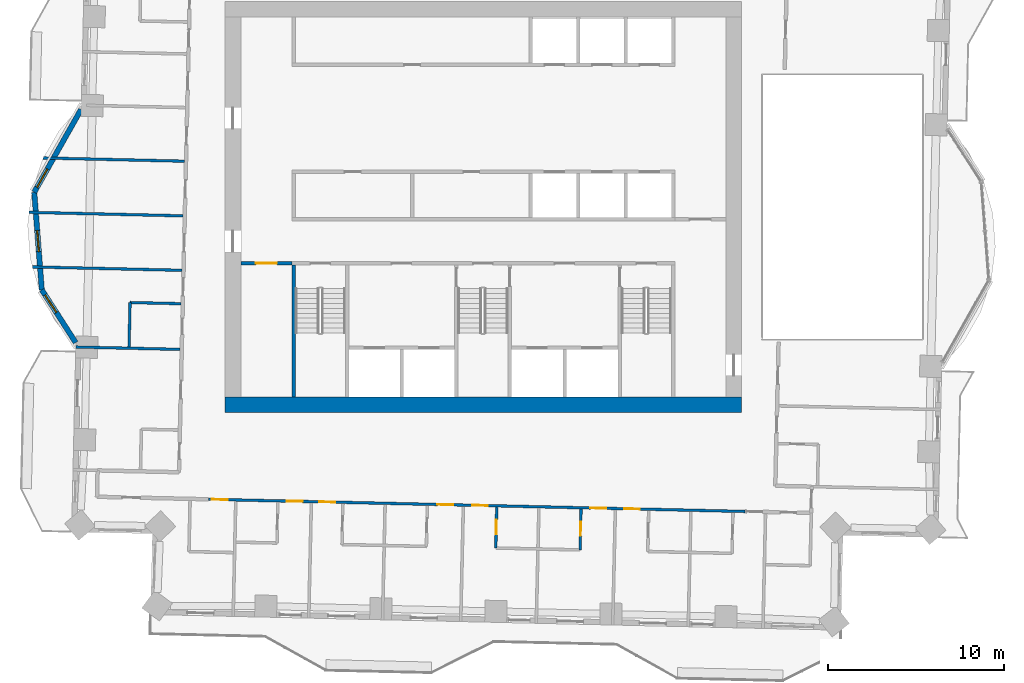
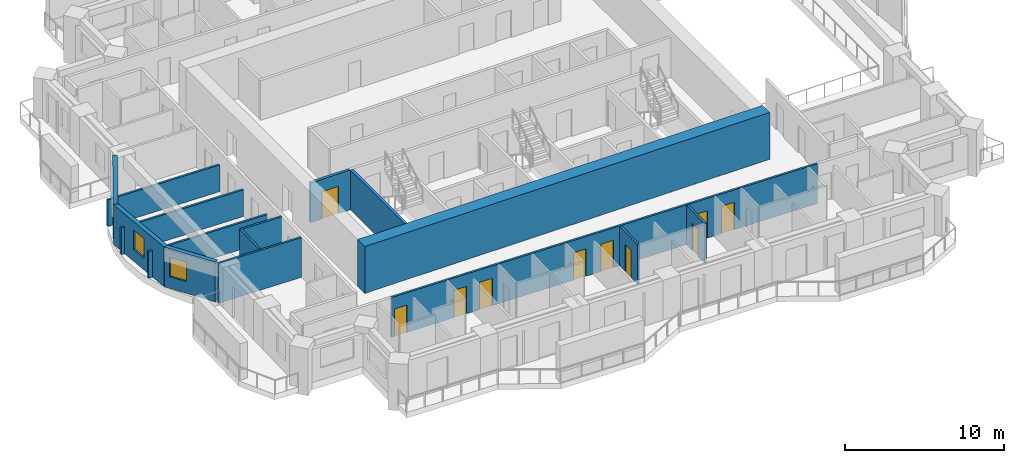
# One storey, part 5 of 14: 15 walls, 10 doors, 3 windows, 13 openings.
"""IFC4 building model written with IfcOpenShell, lengths in metres."""

from ifc_helpers import new_model, si_unit, direction, frame, frame_2d, origin, place, context, subcontext, project, spatial, rectangle, extrude, material, layer, layer_set, type_object, element, fill, save


model = new_model("IFC4")

# Units and contexts
model_context = context("Model", 3, precision=1e-05, world=origin(), true_north=direction((0.0, 1.0)))
body_context = subcontext(model_context, "Body", "Model", "MODEL_VIEW")
ifc_project = project(units=[si_unit("LENGTHUNIT", "METRE"), si_unit("AREAUNIT", "SQUARE_METRE"), si_unit("VOLUMEUNIT", "CUBIC_METRE"), si_unit("PLANEANGLEUNIT", "RADIAN"), si_unit("MASSUNIT", "GRAM", prefix="KILO")], contexts=[model_context])

# Site, building, storey
site_placement = place(None, origin())
site = spatial("IfcSite", under=ifc_project, at=site_placement, CompositionType="ELEMENT")
building_placement = place(site_placement, origin())
building = spatial("IfcBuilding", under=site, at=building_placement, Name="Mangrove Gate Tower", CompositionType="ELEMENT")
storey_placement = place(building_placement, frame((0.0, 0.0, 152.699951171875)))
storey = spatial("IfcBuildingStorey", under=building, at=storey_placement, Name="L38", CompositionType="ELEMENT", Elevation=152.699951171875)

# Wall, opening, door
ifc_material_1 = material(Name="Concrete C32/40", Category="concrete")
ifc_layer_1 = layer(ifc_material_1, 0.199951171875)
ifc_layer_set_1 = layer_set([ifc_layer_1], Name="Core lobby wall 200 C32/40")
wall_type_1 = type_object("IfcWallType", Name="Core lobby wall 200 C32/40", PredefinedType="STANDARD", material=ifc_layer_set_1)
wall_1_placement = place(storey_placement, frame((-13.800048828125, -3.199951171875, 0.0), z_axis=(0.0, 0.0, 1.0), x_axis=(1.0, 0.0, 0.0)))
wall_1 = element("IfcWall", 1, at=wall_1_placement, inside=storey, type_object=wall_type_1, Name="WALL-L38-CORE-30", PredefinedType="STANDARD", context=body_context, shape_type="SweptSolid", body=[
    extrude(rectangle(XDim=2.900146484375, YDim=0.199951171875, at=frame_2d((1.4501953125, 0.0))), origin(), (0.0, 0.0, 1.0), 3.050048828125),
])
opening_1_placement = place(wall_1_placement, frame((0.85009765625, 0.0, 0.0)))
opening_1 = element("IfcOpeningElement", 2, at=opening_1_placement, cuts=wall_1, Name="Opening FL12", PredefinedType="OPENING", context=body_context, shape_type="SweptSolid", body=[
    extrude(rectangle(XDim=1.199951171875, YDim=2.10009765625, at=frame_2d((0.60009765625, 1.050048828125))), frame((0.0, 0.10986328125, 0.0), z_axis=(0.0, -1.0, 0.0), x_axis=(1.0, 0.0, 0.0)), (0.0, 0.0, 1.0), 0.219970703125),
])
ifc_material_2 = material(Name="Fire-rated steel door set", Category="steel")
door_type_1 = type_object("IfcDoorType", Name="Lobby door FD60 1200x2100", OperationType="SINGLE_SWING_LEFT", PredefinedType="DOOR", material=ifc_material_2)
door_1_placement = place(opening_1_placement, origin())
door_1 = element("IfcDoor", 3, at=door_1_placement, inside=storey, type_object=door_type_1, Name="Lobby door core corridor W partition", OperationType="SINGLE_SWING_LEFT", OverallHeight=2.10009765625, OverallWidth=1.199951171875, PredefinedType="DOOR", context=body_context, shape_type="SweptSolid", body=[
    extrude(rectangle(XDim=1.199951171875, YDim=2.10009765625, at=frame_2d((0.60009765625, 1.050048828125))), frame((0.0, 0.02490234375, 0.0), z_axis=(0.0, -1.0, 0.0), x_axis=(1.0, 0.0, 0.0)), (0.0, 0.0, 1.0), 0.050048828125),
])
fill(opening_1, door_1)

# Walls
ifc_material_3 = material(Name="Concrete C60/75", Category="concrete")
ifc_layer_2 = layer(ifc_material_3, 0.199951171875)
ifc_layer_set_2 = layer_set([ifc_layer_2], Name="Core stair wall 200 C60/75")
wall_type_2 = type_object("IfcWallType", Name="Core stair wall 200 C60/75", PredefinedType="SHEAR", material=ifc_layer_set_2)
wall_2_placement = place(storey_placement, frame((-10.800048828125, -10.800048828125, 0.0), z_axis=(0.0, 0.0, 1.0), x_axis=(0.0, 1.0, 0.0)))
element("IfcWall", 4, at=wall_2_placement, inside=storey, type_object=wall_type_2, Name="WALL-L38-CORE-9", PredefinedType="SHEAR", context=body_context, shape_type="SweptSolid", body=[
    extrude(rectangle(XDim=7.5, YDim=0.199951171875, at=frame_2d((3.75, 0.0))), origin(), (0.0, 0.0, 1.0), 3.050048828125),
])
ifc_material_4 = material(Name="Concrete C60/75", Category="concrete")
ifc_layer_3 = layer(ifc_material_4, 0.89990234375)
ifc_layer_set_3 = layer_set([ifc_layer_3], Name="Core wall 900 C60/75")
wall_type_3 = type_object("IfcWallType", Name="Core wall 900 C60/75", PredefinedType="SHEAR", material=ifc_layer_set_3)
wall_3_placement = place(storey_placement, frame((-14.699951171875, -11.25, 0.0), z_axis=(0.0, 0.0, 1.0), x_axis=(1.0, 0.0, 0.0)))
element("IfcWall", 5, at=wall_3_placement, inside=storey, type_object=wall_type_3, Name="WALL-L38-CORE-1", PredefinedType="SHEAR", context=body_context, shape_type="SweptSolid", body=[
    extrude(rectangle(XDim=29.39990234375, YDim=0.89990234375, at=frame_2d((14.699951171875, 0.0))), origin(), (0.0, 0.0, 1.0), 3.60009765625),
])

# Wall, opening, window
ifc_material_5 = material(Name="Limestone", Category="masonry")
ifc_layer_4 = layer(ifc_material_5, 0.0400390625, Name="Limestone cladding")
ifc_material_6 = material(Name="Ventilated air gap")
ifc_layer_5 = layer(ifc_material_6, 0.0400390625, Name="Ventilated cavity")
ifc_material_7 = material(Name="Mineral wool insulation")
ifc_layer_6 = layer(ifc_material_7, 0.06005859375, Name="Insulation")
ifc_material_8 = material(Name="Breather membrane")
ifc_layer_7 = layer(ifc_material_8, 0.001953125, Name="Breather membrane")
ifc_material_9 = material(Name="Concrete C20/25 blockwork", Category="masonry")
ifc_layer_8 = layer(ifc_material_9, 0.14990234375, Name="Blockwork backing wall")
ifc_material_10 = material(Name="Gypsum plaster")
ifc_layer_9 = layer(ifc_material_10, 0.008056640625, Name="Internal plaster")
ifc_layer_set_4 = layer_set([ifc_layer_4, ifc_layer_5, ifc_layer_6, ifc_layer_7, ifc_layer_8, ifc_layer_9], Name="External wall 300 limestone cladding")
wall_type_4 = type_object("IfcWallType", Name="External wall 300 limestone cladding", PredefinedType="SOLIDWALL", material=ifc_layer_set_4)
wall_4_placement = place(storey_placement, frame((-22.89404296875, 5.537109375, 0.0), z_axis=(0.0, 0.0, 1.0), x_axis=(-0.492495436053, -0.870315026566, 0.0)))
wall_4 = element("IfcWall", 6, at=wall_4_placement, inside=storey, type_object=wall_type_4, Name="WALL-L38-W9f1", PredefinedType="SOLIDWALL", context=body_context, shape_type="SweptSolid", body=[
    extrude(rectangle(XDim=5.39697265625, YDim=0.300048828125, at=frame_2d((2.698486328125, 0.0))), origin(), (0.0, 0.0, 1.0), 3.050048828125),
])
opening_2_placement = place(wall_4_placement, frame((3.8798828125, 0.0, 0.89990234375)))
opening_2 = element("IfcOpeningElement", 7, at=opening_2_placement, cuts=wall_4, Name="Opening W1", PredefinedType="OPENING", context=body_context, shape_type="SweptSolid", body=[
    extrude(rectangle(XDim=1.199951171875, YDim=1.5, at=frame_2d((0.60009765625, 0.75))), frame((0.0, 0.159912109375, 0.0), z_axis=(0.0, -1.0, 0.0), x_axis=(1.0, 0.0, 0.0)), (0.0, 0.0, 1.0), 0.320068359375),
])
ifc_material_11 = material(Name="Aluminium frame with double-glazed low-e glass", Category="aluminium")
window_type = type_object("IfcWindowType", Name="Side lite 1200x1500", PartitioningType="SINGLE_PANEL", PredefinedType="WINDOW", material=ifc_material_11)
window_1_placement = place(opening_2_placement, origin())
window_1 = element("IfcWindow", 8, at=window_1_placement, inside=storey, type_object=window_type, Name="WIN-L38-W9f1", OverallHeight=1.5, OverallWidth=1.199951171875, PartitioningType="SINGLE_PANEL", PredefinedType="WINDOW", context=body_context, shape_type="SweptSolid", body=[
    extrude(rectangle(XDim=1.199951171875, YDim=1.5, at=frame_2d((0.60009765625, 0.75))), frame((0.0, 0.030029296875, 0.0), z_axis=(0.0, -1.0, 0.0), x_axis=(1.0, 0.0, 0.0)), (0.0, 0.0, 1.0), 0.06005859375),
])
fill(opening_2, window_1)

wall_5_placement = place(storey_placement, frame((-25.552001953125, 0.840087890625, 0.0), z_axis=(0.0, 0.0, 1.0), x_axis=(0.076961115238, -0.997034095075, 0.0)))
wall_5 = element("IfcWall", 9, at=wall_5_placement, inside=storey, type_object=wall_type_4, Name="WALL-L38-W9f2", PredefinedType="SOLIDWALL", context=body_context, shape_type="SweptSolid", body=[
    extrude(rectangle(XDim=5.57373046875, YDim=0.300048828125, at=frame_2d((2.786865234375, 0.0))), origin(), (0.0, 0.0, 1.0), 3.050048828125),
])
opening_3_placement = place(wall_5_placement, frame((2.18701171875, 0.0, 0.89990234375)))
opening_3 = element("IfcOpeningElement", 10, at=opening_3_placement, cuts=wall_5, Name="Opening W1", PredefinedType="OPENING", context=body_context, shape_type="SweptSolid", body=[
    extrude(rectangle(XDim=1.199951171875, YDim=1.5, at=frame_2d((0.60009765625, 0.75))), frame((0.0, 0.159912109375, 0.0), z_axis=(0.0, -1.0, 0.0), x_axis=(1.0, 0.0, 0.0)), (0.0, 0.0, 1.0), 0.320068359375),
])
window_2_placement = place(opening_3_placement, origin())
window_2 = element("IfcWindow", 11, at=window_2_placement, inside=storey, type_object=window_type, Name="WIN-L38-W9f2", OverallHeight=1.5, OverallWidth=1.199951171875, PartitioningType="SINGLE_PANEL", PredefinedType="WINDOW", context=body_context, shape_type="SweptSolid", body=[
    extrude(rectangle(XDim=1.199951171875, YDim=1.5, at=frame_2d((0.60009765625, 0.75))), frame((0.0, 0.030029296875, 0.0), z_axis=(0.0, -1.0, 0.0), x_axis=(1.0, 0.0, 0.0)), (0.0, 0.0, 1.0), 0.06005859375),
])
fill(opening_3, window_2)

wall_6_placement = place(storey_placement, frame((-25.123046875, -4.717041015625, 0.0), z_axis=(0.0, 0.0, 1.0), x_axis=(0.54058467792, -0.841289608873, 0.0)))
wall_6 = element("IfcWall", 12, at=wall_6_placement, inside=storey, type_object=wall_type_4, Name="WALL-L38-W9f3", PredefinedType="SOLIDWALL", context=body_context, shape_type="SweptSolid", body=[
    extrude(rectangle(XDim=3.568359375, YDim=0.300048828125, at=frame_2d((1.7841796875, 0.0))), origin(), (0.0, 0.0, 1.0), 3.050048828125),
])
opening_4_placement = place(wall_6_placement, frame((0.337890625, 0.0, 0.89990234375)))
opening_4 = element("IfcOpeningElement", 13, at=opening_4_placement, cuts=wall_6, Name="Opening W1", PredefinedType="OPENING", context=body_context, shape_type="SweptSolid", body=[
    extrude(rectangle(XDim=1.199951171875, YDim=1.5, at=frame_2d((0.60009765625, 0.75))), frame((0.0, 0.159912109375, 0.0), z_axis=(0.0, -1.0, 0.0), x_axis=(1.0, 0.0, 0.0)), (0.0, 0.0, 1.0), 0.320068359375),
])
window_3_placement = place(opening_4_placement, origin())
window_3 = element("IfcWindow", 14, at=window_3_placement, inside=storey, type_object=window_type, Name="WIN-L38-W9f3", OverallHeight=1.5, OverallWidth=1.199951171875, PartitioningType="SINGLE_PANEL", PredefinedType="WINDOW", context=body_context, shape_type="SweptSolid", body=[
    extrude(rectangle(XDim=1.199951171875, YDim=1.5, at=frame_2d((0.60009765625, 0.75))), frame((0.0, 0.030029296875, 0.0), z_axis=(0.0, -1.0, 0.0), x_axis=(1.0, 0.0, 0.0)), (0.0, 0.0, 1.0), 0.06005859375),
])
fill(opening_4, window_3)

# Wall, opening, door
ifc_material_12 = material(Name="Gypsum board on steel stud, EI 60", Category="steel")
ifc_layer_10 = layer(ifc_material_12, 0.14990234375)
ifc_layer_set_5 = layer_set([ifc_layer_10], Name="Party wall 150 EI 60")
wall_type_5 = type_object("IfcWallType", Name="Party wall 150 EI 60", PredefinedType="PARTITIONING", material=ifc_layer_set_5)
wall_7_placement = place(storey_placement, frame((0.70703125, -19.407958984375, 0.0), z_axis=(0.0, 0.0, 1.0), x_axis=(0.02279059109, 0.999740260747, 0.0)))
wall_7 = element("IfcWall", 15, at=wall_7_placement, inside=storey, type_object=wall_type_5, Name="WALL-L38-016", PredefinedType="PARTITIONING", context=body_context, shape_type="SweptSolid", body=[
    extrude(rectangle(XDim=2.324462890625, YDim=0.14990234375, at=frame_2d((1.162109375, 0.0))), origin(), (0.0, 0.0, 1.0), 3.050048828125),
])
opening_5_placement = place(wall_7_placement, frame((0.800048828125, 0.0, 0.0)))
opening_5 = element("IfcOpeningElement", 16, at=opening_5_placement, cuts=wall_7, Name="Opening ED", PredefinedType="OPENING", context=body_context, shape_type="SweptSolid", body=[
    extrude(rectangle(XDim=0.800048828125, YDim=2.10009765625, at=frame_2d((0.39990234375, 1.050048828125))), frame((0.0, 0.0849609375, 0.0), z_axis=(0.0, -1.0, 0.0), x_axis=(1.0, 0.0, 0.0)), (0.0, 0.0, 1.0), 0.169921875),
])
ifc_material_13 = material(Name="Timber door leaf", Category="wood")
door_type_2 = type_object("IfcDoorType", Name="En-suite door 800", OperationType="SINGLE_SWING_LEFT", PredefinedType="DOOR", material=ifc_material_13)
door_2_placement = place(opening_5_placement, origin())
door_2 = element("IfcDoor", 17, at=door_2_placement, inside=storey, type_object=door_type_2, Name="DOOR-L38-ENS-c204", OperationType="SINGLE_SWING_RIGHT", OverallHeight=2.10009765625, OverallWidth=0.800048828125, PredefinedType="DOOR", context=body_context, shape_type="SweptSolid", body=[
    extrude(rectangle(XDim=0.800048828125, YDim=2.10009765625, at=frame_2d((0.39990234375, 1.050048828125))), frame((0.0, 0.02490234375, 0.0), z_axis=(0.0, -1.0, 0.0), x_axis=(1.0, 0.0, 0.0)), (0.0, 0.0, 1.0), 0.050048828125),
])
fill(opening_5, door_2)

wall_8_placement = place(storey_placement, frame((5.506103515625, -19.51708984375, 0.0), z_axis=(0.0, 0.0, 1.0), x_axis=(0.022370700241, 0.999749744571, 0.0)))
wall_8 = element("IfcWall", 18, at=wall_8_placement, inside=storey, type_object=wall_type_5, Name="WALL-L38-017", PredefinedType="PARTITIONING", context=body_context, shape_type="SweptSolid", body=[
    extrude(rectangle(XDim=2.324462890625, YDim=0.14990234375, at=frame_2d((1.162109375, 0.0))), origin(), (0.0, 0.0, 1.0), 3.050048828125),
])
opening_6_placement = place(wall_8_placement, frame((0.800048828125, 0.0, 0.0)))
opening_6 = element("IfcOpeningElement", 19, at=opening_6_placement, cuts=wall_8, Name="Opening ED", PredefinedType="OPENING", context=body_context, shape_type="SweptSolid", body=[
    extrude(rectangle(XDim=0.800048828125, YDim=2.10009765625, at=frame_2d((0.39990234375, 1.050048828125))), frame((0.0, 0.0849609375, 0.0), z_axis=(0.0, -1.0, 0.0), x_axis=(1.0, 0.0, 0.0)), (0.0, 0.0, 1.0), 0.169921875),
])
door_3_placement = place(opening_6_placement, origin())
door_3 = element("IfcDoor", 20, at=door_3_placement, inside=storey, type_object=door_type_2, Name="DOOR-L38-ENS-c205", OperationType="SINGLE_SWING_LEFT", OverallHeight=2.10009765625, OverallWidth=0.800048828125, PredefinedType="DOOR", context=body_context, shape_type="SweptSolid", body=[
    extrude(rectangle(XDim=0.800048828125, YDim=2.10009765625, at=frame_2d((0.39990234375, 1.050048828125))), frame((0.0, 0.02490234375, 0.0), z_axis=(0.0, -1.0, 0.0), x_axis=(1.0, 0.0, 0.0)), (0.0, 0.0, 1.0), 0.050048828125),
])
fill(opening_6, door_3)

# Wall, openings, doors
wall_9_placement = place(storey_placement, frame((-15.64892578125, -16.633056640625, 0.0), z_axis=(0.0, 0.0, 1.0), x_axis=(0.999743261737, -0.022658565952, 0.0)))
wall_9 = element("IfcWall", 21, at=wall_9_placement, inside=storey, type_object=wall_type_5, Name="WALL-L38-027", PredefinedType="PARTITIONING", context=body_context, shape_type="SweptSolid", body=[
    extrude(rectangle(XDim=30.53564453125, YDim=0.14990234375, at=frame_2d((15.267822265625, 0.0))), origin(), (0.0, 0.0, 1.0), 3.050048828125),
])
opening_7_placement = place(wall_9_placement, frame((0.199951171875, 0.0, 0.0)))
opening_7 = element("IfcOpeningElement", 22, at=opening_7_placement, cuts=wall_9, Name="Opening SD", PredefinedType="OPENING", context=body_context, shape_type="SweptSolid", body=[
    extrude(rectangle(XDim=0.89990234375, YDim=2.10009765625, at=frame_2d((0.449951171875, 1.050048828125))), frame((0.0, 0.0849609375, 0.0), z_axis=(0.0, -1.0, 0.0), x_axis=(1.0, 0.0, 0.0)), (0.0, 0.0, 1.0), 0.169921875),
])
opening_8_placement = place(wall_9_placement, frame((4.465087890625, 0.0, 0.0)))
opening_8 = element("IfcOpeningElement", 23, at=opening_8_placement, cuts=wall_9, Name="Opening BD", PredefinedType="OPENING", context=body_context, shape_type="SweptSolid", body=[
    extrude(rectangle(XDim=0.89990234375, YDim=2.10009765625, at=frame_2d((0.449951171875, 1.050048828125))), frame((0.0, 0.0849609375, 0.0), z_axis=(0.0, -1.0, 0.0), x_axis=(1.0, 0.0, 0.0)), (0.0, 0.0, 1.0), 0.169921875),
])
opening_9_placement = place(wall_9_placement, frame((6.31494140625, 0.0, 0.0)))
opening_9 = element("IfcOpeningElement", 24, at=opening_9_placement, cuts=wall_9, Name="Opening BD", PredefinedType="OPENING", context=body_context, shape_type="SweptSolid", body=[
    extrude(rectangle(XDim=0.89990234375, YDim=2.10009765625, at=frame_2d((0.449951171875, 1.050048828125))), frame((0.0, 0.0849609375, 0.0), z_axis=(0.0, -1.0, 0.0), x_axis=(1.0, 0.0, 0.0)), (0.0, 0.0, 1.0), 0.169921875),
])
opening_10_placement = place(wall_9_placement, frame((13.0400390625, 0.0, 0.0)))
opening_10 = element("IfcOpeningElement", 25, at=opening_10_placement, cuts=wall_9, Name="Opening BD", PredefinedType="OPENING", context=body_context, shape_type="SweptSolid", body=[
    extrude(rectangle(XDim=0.89990234375, YDim=2.10009765625, at=frame_2d((0.449951171875, 1.050048828125))), frame((0.0, 0.0849609375, 0.0), z_axis=(0.0, -1.0, 0.0), x_axis=(1.0, 0.0, 0.0)), (0.0, 0.0, 1.0), 0.169921875),
])
opening_11_placement = place(wall_9_placement, frame((15.014892578125, 0.0, 0.0)))
opening_11 = element("IfcOpeningElement", 26, at=opening_11_placement, cuts=wall_9, Name="Opening BD", PredefinedType="OPENING", context=body_context, shape_type="SweptSolid", body=[
    extrude(rectangle(XDim=0.89990234375, YDim=2.10009765625, at=frame_2d((0.449951171875, 1.050048828125))), frame((0.0, 0.0849609375, 0.0), z_axis=(0.0, -1.0, 0.0), x_axis=(1.0, 0.0, 0.0)), (0.0, 0.0, 1.0), 0.169921875),
])
opening_12_placement = place(wall_9_placement, frame((21.739990234375, 0.0, 0.0)))
opening_12 = element("IfcOpeningElement", 27, at=opening_12_placement, cuts=wall_9, Name="Opening BD", PredefinedType="OPENING", context=body_context, shape_type="SweptSolid", body=[
    extrude(rectangle(XDim=0.89990234375, YDim=2.10009765625, at=frame_2d((0.449951171875, 1.050048828125))), frame((0.0, 0.0849609375, 0.0), z_axis=(0.0, -1.0, 0.0), x_axis=(1.0, 0.0, 0.0)), (0.0, 0.0, 1.0), 0.169921875),
])
opening_13_placement = place(wall_9_placement, frame((23.6650390625, 0.0, 0.0)))
opening_13 = element("IfcOpeningElement", 28, at=opening_13_placement, cuts=wall_9, Name="Opening BD", PredefinedType="OPENING", context=body_context, shape_type="SweptSolid", body=[
    extrude(rectangle(XDim=0.89990234375, YDim=2.10009765625, at=frame_2d((0.449951171875, 1.050048828125))), frame((0.0, 0.0849609375, 0.0), z_axis=(0.0, -1.0, 0.0), x_axis=(1.0, 0.0, 0.0)), (0.0, 0.0, 1.0), 0.169921875),
])
ifc_material_14 = material(Name="Timber door leaf", Category="wood")
door_type_3 = type_object("IfcDoorType", Name="Bedroom door 900", OperationType="SINGLE_SWING_LEFT", PredefinedType="DOOR", material=ifc_material_14)
door_4_placement = place(opening_8_placement, origin())
door_4 = element("IfcDoor", 29, at=door_4_placement, inside=storey, type_object=door_type_3, Name="DOOR-L38-BED-c101", OperationType="SINGLE_SWING_LEFT", OverallHeight=2.10009765625, OverallWidth=0.89990234375, PredefinedType="DOOR", context=body_context, shape_type="SweptSolid", body=[
    extrude(rectangle(XDim=0.89990234375, YDim=2.10009765625, at=frame_2d((0.449951171875, 1.050048828125))), frame((0.0, 0.02490234375, 0.0), z_axis=(0.0, -1.0, 0.0), x_axis=(1.0, 0.0, 0.0)), (0.0, 0.0, 1.0), 0.050048828125),
])
fill(opening_8, door_4)
door_5_placement = place(opening_9_placement, origin())
door_5 = element("IfcDoor", 30, at=door_5_placement, inside=storey, type_object=door_type_3, Name="DOOR-L38-BED-c102", OperationType="SINGLE_SWING_RIGHT", OverallHeight=2.10009765625, OverallWidth=0.89990234375, PredefinedType="DOOR", context=body_context, shape_type="SweptSolid", body=[
    extrude(rectangle(XDim=0.89990234375, YDim=2.10009765625, at=frame_2d((0.449951171875, 1.050048828125))), frame((0.0, 0.02490234375, 0.0), z_axis=(0.0, -1.0, 0.0), x_axis=(1.0, 0.0, 0.0)), (0.0, 0.0, 1.0), 0.050048828125),
])
fill(opening_9, door_5)
door_6_placement = place(opening_10_placement, origin())
door_6 = element("IfcDoor", 31, at=door_6_placement, inside=storey, type_object=door_type_3, Name="DOOR-L38-BED-c103", OperationType="SINGLE_SWING_LEFT", OverallHeight=2.10009765625, OverallWidth=0.89990234375, PredefinedType="DOOR", context=body_context, shape_type="SweptSolid", body=[
    extrude(rectangle(XDim=0.89990234375, YDim=2.10009765625, at=frame_2d((0.449951171875, 1.050048828125))), frame((0.0, 0.02490234375, 0.0), z_axis=(0.0, -1.0, 0.0), x_axis=(1.0, 0.0, 0.0)), (0.0, 0.0, 1.0), 0.050048828125),
])
fill(opening_10, door_6)
door_7_placement = place(opening_11_placement, origin())
door_7 = element("IfcDoor", 32, at=door_7_placement, inside=storey, type_object=door_type_3, Name="DOOR-L38-BED-c204", OperationType="SINGLE_SWING_RIGHT", OverallHeight=2.10009765625, OverallWidth=0.89990234375, PredefinedType="DOOR", context=body_context, shape_type="SweptSolid", body=[
    extrude(rectangle(XDim=0.89990234375, YDim=2.10009765625, at=frame_2d((0.449951171875, 1.050048828125))), frame((0.0, 0.02490234375, 0.0), z_axis=(0.0, -1.0, 0.0), x_axis=(1.0, 0.0, 0.0)), (0.0, 0.0, 1.0), 0.050048828125),
])
fill(opening_11, door_7)
door_8_placement = place(opening_12_placement, origin())
door_8 = element("IfcDoor", 33, at=door_8_placement, inside=storey, type_object=door_type_3, Name="DOOR-L38-BED-c205", OperationType="SINGLE_SWING_LEFT", OverallHeight=2.10009765625, OverallWidth=0.89990234375, PredefinedType="DOOR", context=body_context, shape_type="SweptSolid", body=[
    extrude(rectangle(XDim=0.89990234375, YDim=2.10009765625, at=frame_2d((0.449951171875, 1.050048828125))), frame((0.0, 0.02490234375, 0.0), z_axis=(0.0, -1.0, 0.0), x_axis=(1.0, 0.0, 0.0)), (0.0, 0.0, 1.0), 0.050048828125),
])
fill(opening_12, door_8)
door_9_placement = place(opening_13_placement, origin())
door_9 = element("IfcDoor", 34, at=door_9_placement, inside=storey, type_object=door_type_3, Name="DOOR-L38-BED-c206", OperationType="SINGLE_SWING_RIGHT", OverallHeight=2.10009765625, OverallWidth=0.89990234375, PredefinedType="DOOR", context=body_context, shape_type="SweptSolid", body=[
    extrude(rectangle(XDim=0.89990234375, YDim=2.10009765625, at=frame_2d((0.449951171875, 1.050048828125))), frame((0.0, 0.02490234375, 0.0), z_axis=(0.0, -1.0, 0.0), x_axis=(1.0, 0.0, 0.0)), (0.0, 0.0, 1.0), 0.050048828125),
])
fill(opening_13, door_9)
ifc_material_15 = material(Name="Timber door leaf", Category="wood")
door_type_4 = type_object("IfcDoorType", Name="Service room door 900", OperationType="SINGLE_SWING_LEFT", PredefinedType="DOOR", material=ifc_material_15)
door_10_placement = place(opening_7_placement, origin())
door_10 = element("IfcDoor", 35, at=door_10_placement, inside=storey, type_object=door_type_4, Name="DOOR-L38-AWC-c1a", OperationType="SINGLE_SWING_LEFT", OverallHeight=2.10009765625, OverallWidth=0.89990234375, PredefinedType="DOOR", context=body_context, shape_type="SweptSolid", body=[
    extrude(rectangle(XDim=0.89990234375, YDim=2.10009765625, at=frame_2d((0.449951171875, 1.050048828125))), frame((0.0, 0.02490234375, 0.0), z_axis=(0.0, -1.0, 0.0), x_axis=(1.0, 0.0, 0.0)), (0.0, 0.0, 1.0), 0.050048828125),
])
fill(opening_7, door_10)

# Walls
wall_10_placement = place(storey_placement, frame((-23.18994140625, -7.968994140625, 0.0), z_axis=(0.0, 0.0, 1.0), x_axis=(0.999741261868, -0.022746633113, 0.0)))
element("IfcWall", 36, at=wall_10_placement, inside=storey, type_object=wall_type_5, Name="WALL-L38-040", PredefinedType="PARTITIONING", context=body_context, shape_type="SweptSolid", body=[
    extrude(rectangle(XDim=5.935302734375, YDim=0.14990234375, at=frame_2d((2.9677734375, 0.0))), origin(), (0.0, 0.0, 1.0), 3.050048828125),
])
wall_11_placement = place(storey_placement, frame((-20.158935546875, -7.9580078125, 0.0), z_axis=(0.0, 0.0, 1.0), x_axis=(0.022919108675, 0.999737322729, 0.0)))
element("IfcWall", 37, at=wall_11_placement, inside=storey, type_object=wall_type_5, Name="WALL-L38-041", PredefinedType="PARTITIONING", context=body_context, shape_type="SweptSolid", body=[
    extrude(rectangle(XDim=2.524658203125, YDim=0.14990234375, at=frame_2d((1.26220703125, 0.0))), origin(), (0.0, 0.0, 1.0), 3.050048828125),
])
wall_12_placement = place(storey_placement, frame((-20.096923828125, -5.43896484375, 0.0), z_axis=(0.0, 0.0, 1.0), x_axis=(0.999741748633, -0.022725229174, 0.0)))
element("IfcWall", 38, at=wall_12_placement, inside=storey, type_object=wall_type_5, Name="WALL-L38-042", PredefinedType="PARTITIONING", context=body_context, shape_type="SweptSolid", body=[
    extrude(rectangle(XDim=2.900634765625, YDim=0.14990234375, at=frame_2d((1.4501953125, 0.0))), origin(), (0.0, 0.0, 1.0), 3.050048828125),
])
wall_13_placement = place(storey_placement, frame((-25.64990234375, -3.412109375, 0.0), z_axis=(0.0, 0.0, 1.0), x_axis=(0.999742413658, -0.022695954102, 0.0)))
element("IfcWall", 39, at=wall_13_placement, inside=storey, type_object=wall_type_5, Name="WALL-L38-043", PredefinedType="PARTITIONING", context=body_context, shape_type="SweptSolid", body=[
    extrude(rectangle(XDim=8.498046875, YDim=0.14990234375, at=frame_2d((4.2490234375, 0.0))), origin(), (0.0, 0.0, 1.0), 2.050048828125),
])
wall_14_placement = place(storey_placement, frame((-25.843994140625, -0.306884765625, 0.0), z_axis=(0.0, 0.0, 1.0), x_axis=(0.999741504596, -0.022735962424, 0.0)))
element("IfcWall", 40, at=wall_14_placement, inside=storey, type_object=wall_type_5, Name="WALL-L38-044", PredefinedType="PARTITIONING", context=body_context, shape_type="SweptSolid", body=[
    extrude(rectangle(XDim=8.76220703125, YDim=0.14990234375, at=frame_2d((4.381103515625, 0.0))), origin(), (0.0, 0.0, 1.0), 2.050048828125),
])
wall_15_placement = place(storey_placement, frame((-25.0400390625, 2.785888671875, 0.0), z_axis=(0.0, 0.0, 1.0), x_axis=(0.999740625399, -0.022774589508, 0.0)))
element("IfcWall", 41, at=wall_15_placement, inside=storey, type_object=wall_type_5, Name="WALL-L38-045", PredefinedType="PARTITIONING", context=body_context, shape_type="SweptSolid", body=[
    extrude(rectangle(XDim=8.029296875, YDim=0.14990234375, at=frame_2d((4.0146484375, 0.0))), origin(), (0.0, 0.0, 1.0), 2.050048828125),
])

save(model, "model.ifc")
